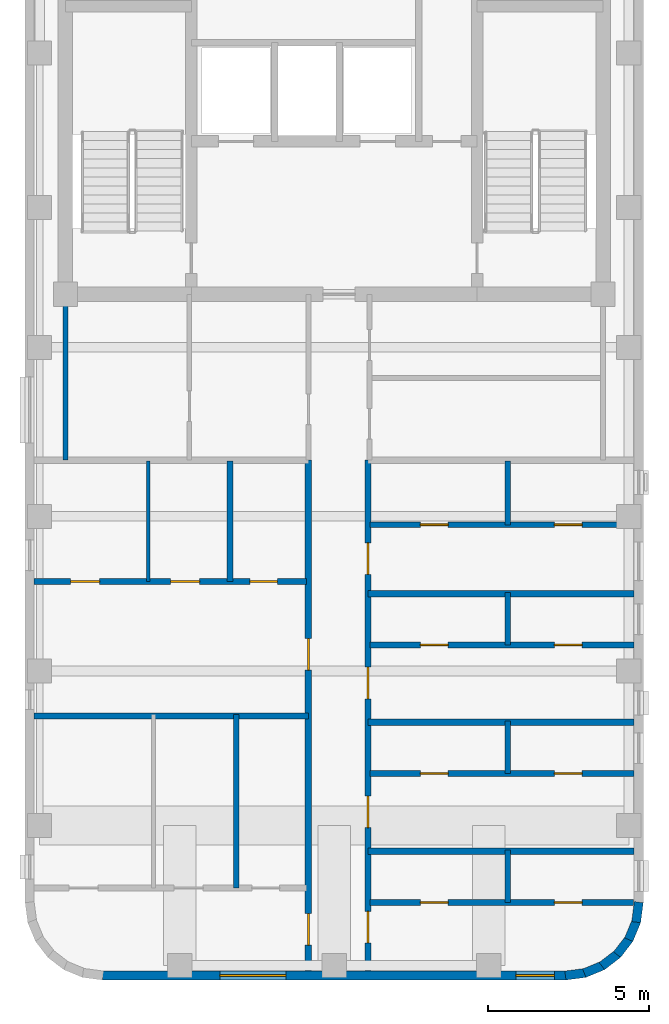
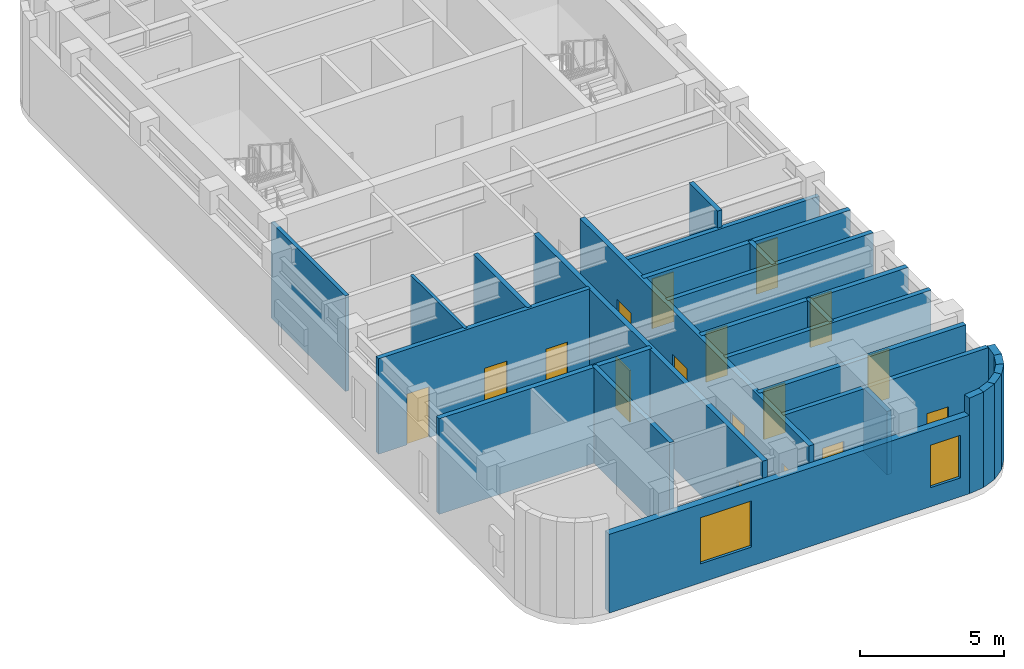
# One storey, part 2 of 6: 26 walls, 17 doors, 2 windows, 19 openings.
"""IFC4 building model written with IfcOpenShell, lengths in metres."""

from ifc_helpers import new_model, si_unit, direction, frame, frame_2d, origin, place, context, subcontext, project, spatial, rectangle, extrude, material, layer, layer_set, type_object, element, fill, save


model = new_model("IFC4")

# Units and contexts
model_context = context("Model", 3, precision=1e-05, world=origin(), true_north=direction((0.0, 1.0)))
body_context = subcontext(model_context, "Body", "Model", "MODEL_VIEW")
ifc_project = project(units=[si_unit("LENGTHUNIT", "METRE"), si_unit("AREAUNIT", "SQUARE_METRE"), si_unit("VOLUMEUNIT", "CUBIC_METRE"), si_unit("PLANEANGLEUNIT", "RADIAN"), si_unit("MASSUNIT", "GRAM", prefix="KILO")], contexts=[model_context])

# Site, building, storey
site_placement = place(None, origin())
site = spatial("IfcSite", under=ifc_project, at=site_placement, CompositionType="ELEMENT")
building_placement = place(site_placement, origin())
building = spatial("IfcBuilding", under=site, at=building_placement, Name="Orvandelia Arch Residences", CompositionType="ELEMENT")
storey_placement = place(building_placement, frame((0.0, 0.0, 261.300048828125)))
storey = spatial("IfcBuildingStorey", under=building, at=storey_placement, Name="L68", CompositionType="ELEMENT", Elevation=261.300048828125)

# Wall, openings, doors
ifc_material_1 = material(Name="Fire-Rated Corridor Partition")
ifc_layer_1 = layer(ifc_material_1, 0.199951171875, Name="Fire-Rated Corridor Partition")
ifc_layer_set_1 = layer_set([ifc_layer_1], Name="Fire-Rated Corridor Partition")
wall_type_1 = type_object("IfcWallType", Name="WL-CORR-200", PredefinedType="PARTITIONING", material=ifc_layer_set_1)
wall_1_placement = place(storey_placement, frame((13.60009765625, 9.8798828125, 0.0), z_axis=(0.0, 0.0, 1.0), x_axis=(0.0, 1.0, 0.0)))
wall_1 = element("IfcWall", 1, at=wall_1_placement, inside=storey, type_object=wall_type_1, Name="Interior Partition Wall WL-L68-WC-W", PredefinedType="PARTITIONING", context=body_context, shape_type="SweptSolid", body=[
    extrude(rectangle(XDim=15.8701171875, YDim=0.199951171875, at=frame_2d((7.93505859375, 0.0))), origin(), (0.0, 0.0, 1.0), 4.0400390625),
])
opening_1_placement = place(wall_1_placement, frame((0.801025390625, 0.0, 0.0)))
opening_1 = element("IfcOpeningElement", 2, at=opening_1_placement, cuts=wall_1, Name="Opening D1", PredefinedType="OPENING", context=body_context, shape_type="SweptSolid", body=[
    extrude(rectangle(XDim=0.97998046875, YDim=2.179931640625, at=frame_2d((0.489990234375, 1.08984375))), frame((0.0, 0.10986328125, 0.0), z_axis=(0.0, -1.0, 0.0), x_axis=(1.0, 0.0, 0.0)), (0.0, 0.0, 1.0), 0.219970703125),
])
opening_2_placement = place(wall_1_placement, frame((9.342041015625, 0.0, 0.0)))
opening_2 = element("IfcOpeningElement", 3, at=opening_2_placement, cuts=wall_1, Name="Opening D1", PredefinedType="OPENING", context=body_context, shape_type="SweptSolid", body=[
    extrude(rectangle(XDim=0.97998046875, YDim=2.179931640625, at=frame_2d((0.489990234375, 1.08984375))), frame((0.0, 0.10986328125, 0.0), z_axis=(0.0, -1.0, 0.0), x_axis=(1.0, 0.0, 0.0)), (0.0, 0.0, 1.0), 0.219970703125),
])
ifc_material_2 = material(Name="Solid-Core Timber Acoustic Fire Door", Category="wood")
door_type_1 = type_object("IfcDoorType", Name="DR-ENT-980", OperationType="NOTDEFINED", PredefinedType="DOOR", material=ifc_material_2)
door_1_placement = place(opening_1_placement, origin())
door_1 = element("IfcDoor", 4, at=door_1_placement, inside=storey, type_object=door_type_1, Name="Unit L68-01 Entrance Door", OperationType="SINGLE_SWING_LEFT", OverallHeight=2.179931640625, OverallWidth=0.97998046875, PredefinedType="DOOR", context=body_context, shape_type="SweptSolid", body=[
    extrude(rectangle(XDim=0.97998046875, YDim=2.179931640625, at=frame_2d((0.489990234375, 1.08984375))), frame((0.0, 0.02490234375, 0.0), z_axis=(0.0, -1.0, 0.0), x_axis=(1.0, 0.0, 0.0)), (0.0, 0.0, 1.0), 0.050048828125),
])
fill(opening_1, door_1)
door_2_placement = place(opening_2_placement, origin())
door_2 = element("IfcDoor", 5, at=door_2_placement, inside=storey, type_object=door_type_1, Name="Unit L68-02 Entrance Door", OperationType="SINGLE_SWING_RIGHT", OverallHeight=2.179931640625, OverallWidth=0.97998046875, PredefinedType="DOOR", context=body_context, shape_type="SweptSolid", body=[
    extrude(rectangle(XDim=0.97998046875, YDim=2.179931640625, at=frame_2d((0.489990234375, 1.08984375))), frame((0.0, 0.02490234375, 0.0), z_axis=(0.0, -1.0, 0.0), x_axis=(1.0, 0.0, 0.0)), (0.0, 0.0, 1.0), 0.050048828125),
])
fill(opening_2, door_2)

wall_2_placement = place(storey_placement, frame((15.449951171875, 9.8798828125, 0.0), z_axis=(0.0, 0.0, 1.0), x_axis=(0.0, 1.0, 0.0)))
wall_2 = element("IfcWall", 6, at=wall_2_placement, inside=storey, type_object=wall_type_1, Name="Interior Partition Wall WL-L68-WC-E", PredefinedType="PARTITIONING", context=body_context, shape_type="SweptSolid", body=[
    extrude(rectangle(XDim=15.8701171875, YDim=0.199951171875, at=frame_2d((7.93505859375, 0.0))), origin(), (0.0, 0.0, 1.0), 4.0400390625),
])
opening_3_placement = place(wall_2_placement, frame((0.875, 0.0, 0.0)))
opening_3 = element("IfcOpeningElement", 7, at=opening_3_placement, cuts=wall_2, Name="Opening D1", PredefinedType="OPENING", context=body_context, shape_type="SweptSolid", body=[
    extrude(rectangle(XDim=0.97998046875, YDim=2.179931640625, at=frame_2d((0.489990234375, 1.08984375))), frame((0.0, 0.10986328125, 0.0), z_axis=(0.0, -1.0, 0.0), x_axis=(1.0, 0.0, 0.0)), (0.0, 0.0, 1.0), 0.219970703125),
])
opening_4_placement = place(wall_2_placement, frame((4.455078125, 0.0, 0.0)))
opening_4 = element("IfcOpeningElement", 8, at=opening_4_placement, cuts=wall_2, Name="Opening D1", PredefinedType="OPENING", context=body_context, shape_type="SweptSolid", body=[
    extrude(rectangle(XDim=0.97998046875, YDim=2.179931640625, at=frame_2d((0.489990234375, 1.08984375))), frame((0.0, 0.10986328125, 0.0), z_axis=(0.0, -1.0, 0.0), x_axis=(1.0, 0.0, 0.0)), (0.0, 0.0, 1.0), 0.219970703125),
])
opening_5_placement = place(wall_2_placement, frame((8.455078125, 0.0, 0.0)))
opening_5 = element("IfcOpeningElement", 9, at=opening_5_placement, cuts=wall_2, Name="Opening D1", PredefinedType="OPENING", context=body_context, shape_type="SweptSolid", body=[
    extrude(rectangle(XDim=0.97998046875, YDim=2.179931640625, at=frame_2d((0.489990234375, 1.08984375))), frame((0.0, 0.10986328125, 0.0), z_axis=(0.0, -1.0, 0.0), x_axis=(1.0, 0.0, 0.0)), (0.0, 0.0, 1.0), 0.219970703125),
])
opening_6_placement = place(wall_2_placement, frame((12.320068359375, 0.0, 0.0)))
opening_6 = element("IfcOpeningElement", 10, at=opening_6_placement, cuts=wall_2, Name="Opening D1", PredefinedType="OPENING", context=body_context, shape_type="SweptSolid", body=[
    extrude(rectangle(XDim=0.97998046875, YDim=2.179931640625, at=frame_2d((0.489990234375, 1.08984375))), frame((0.0, 0.10986328125, 0.0), z_axis=(0.0, -1.0, 0.0), x_axis=(1.0, 0.0, 0.0)), (0.0, 0.0, 1.0), 0.219970703125),
])
door_3_placement = place(opening_3_placement, origin())
door_3 = element("IfcDoor", 11, at=door_3_placement, inside=storey, type_object=door_type_1, Name="Unit L68-03 Entrance Door", OperationType="SINGLE_SWING_LEFT", OverallHeight=2.179931640625, OverallWidth=0.97998046875, PredefinedType="DOOR", context=body_context, shape_type="SweptSolid", body=[
    extrude(rectangle(XDim=0.97998046875, YDim=2.179931640625, at=frame_2d((0.489990234375, 1.08984375))), frame((0.0, 0.02490234375, 0.0), z_axis=(0.0, -1.0, 0.0), x_axis=(1.0, 0.0, 0.0)), (0.0, 0.0, 1.0), 0.050048828125),
])
fill(opening_3, door_3)
door_4_placement = place(opening_4_placement, origin())
door_4 = element("IfcDoor", 12, at=door_4_placement, inside=storey, type_object=door_type_1, Name="Unit L68-04 Entrance Door", OperationType="SINGLE_SWING_RIGHT", OverallHeight=2.179931640625, OverallWidth=0.97998046875, PredefinedType="DOOR", context=body_context, shape_type="SweptSolid", body=[
    extrude(rectangle(XDim=0.97998046875, YDim=2.179931640625, at=frame_2d((0.489990234375, 1.08984375))), frame((0.0, 0.02490234375, 0.0), z_axis=(0.0, -1.0, 0.0), x_axis=(1.0, 0.0, 0.0)), (0.0, 0.0, 1.0), 0.050048828125),
])
fill(opening_4, door_4)
door_5_placement = place(opening_5_placement, origin())
door_5 = element("IfcDoor", 13, at=door_5_placement, inside=storey, type_object=door_type_1, Name="Unit L68-05 Entrance Door", OperationType="SINGLE_SWING_LEFT", OverallHeight=2.179931640625, OverallWidth=0.97998046875, PredefinedType="DOOR", context=body_context, shape_type="SweptSolid", body=[
    extrude(rectangle(XDim=0.97998046875, YDim=2.179931640625, at=frame_2d((0.489990234375, 1.08984375))), frame((0.0, 0.02490234375, 0.0), z_axis=(0.0, -1.0, 0.0), x_axis=(1.0, 0.0, 0.0)), (0.0, 0.0, 1.0), 0.050048828125),
])
fill(opening_5, door_5)
door_6_placement = place(opening_6_placement, origin())
door_6 = element("IfcDoor", 14, at=door_6_placement, inside=storey, type_object=door_type_1, Name="Unit L68-06 Entrance Door", OperationType="SINGLE_SWING_RIGHT", OverallHeight=2.179931640625, OverallWidth=0.97998046875, PredefinedType="DOOR", context=body_context, shape_type="SweptSolid", body=[
    extrude(rectangle(XDim=0.97998046875, YDim=2.179931640625, at=frame_2d((0.489990234375, 1.08984375))), frame((0.0, 0.02490234375, 0.0), z_axis=(0.0, -1.0, 0.0), x_axis=(1.0, 0.0, 0.0)), (0.0, 0.0, 1.0), 0.050048828125),
])
fill(opening_6, door_6)

# Walls
ifc_material_3 = material(Name="Concrete C40/50", Category="concrete")
ifc_layer_2 = layer(ifc_material_3, 0.199951171875, Name="Concrete C40/50", Category="concrete")
ifc_layer_set_2 = layer_set([ifc_layer_2], Name="Concrete C40/50")
wall_type_2 = type_object("IfcWallType", Name="WL-DEM-200", PredefinedType="SOLIDWALL", material=ifc_layer_set_2)
wall_3_placement = place(storey_placement, frame((5.080078125, 17.800048828125, 0.0), z_axis=(0.0, 0.0, 1.0), x_axis=(1.0, 0.0, 0.0)))
element("IfcWall", 15, at=wall_3_placement, inside=storey, type_object=wall_type_2, Name="Interior Partition Wall WL-L68-DEM-WL-178", PredefinedType="SOLIDWALL", context=body_context, shape_type="SweptSolid", body=[
    extrude(rectangle(XDim=8.52001953125, YDim=0.199951171875, at=frame_2d((4.260009765625, 0.0))), origin(), (0.0, 0.0, 1.0), 4.0400390625),
])
for number, where, z_axis, x_axis, name in (
    (16, (15.449951171875, 13.60009765625, 0.0), (0.0, 0.0, 1.0), (1.0, 0.0, 0.0), "Interior Partition Wall WL-L68-DEM-WR-136"),
    (17, (15.449951171875, 17.60009765625, 0.0), (0.0, 0.0, 1.0), (1.0, 0.0, 0.0), "Interior Partition Wall WL-L68-DEM-WR-176"),
    (18, (15.449951171875, 21.60009765625, 0.0), (0.0, 0.0, 1.0), (1.0, 0.0, 0.0), "Interior Partition Wall WL-L68-DEM-WR-216"),
):
    element("IfcWall", number, at=place(storey_placement, frame(where, z_axis=z_axis, x_axis=x_axis)), inside=storey, type_object=wall_type_2, Name=name, PredefinedType="SOLIDWALL", context=body_context, shape_type="SweptSolid", body=[
        extrude(rectangle(XDim=8.27001953125, YDim=0.199951171875, at=frame_2d((4.135009765625, 0.0))), origin(), (0.0, 0.0, 1.0), 4.0400390625),
    ])
ifc_material_4 = material(Name="Precast concrete C40/50", Category="concrete")
ifc_layer_3 = layer(ifc_material_4, 0.280029296875, Name="Precast concrete C40/50", Category="concrete")
ifc_layer_set_3 = layer_set([ifc_layer_3], Name="Precast concrete C40/50")
wall_type_3 = type_object("IfcWallType", Name="WL-EXT-STONE-280", PredefinedType="STANDARD", material=ifc_layer_set_3)
for number, where, z_axis, x_axis, name in (
    (19, (23.861083984375, 12.018310546875, 0.0), (0.0, 0.0, 1.0), (-0.130555323746, -0.9914410257, 0.0), "Coral-Limestone Precast Facade Wall L68-015"),
    (20, (23.788818359375, 11.432373046875, 0.0), (0.0, 0.0, 1.0), (-0.382317370307, -0.924031075431, 0.0), "Coral-Limestone Precast Facade Wall L68-016"),
    (21, (23.5673828125, 10.88525390625, 0.0), (0.0, 0.0, 1.0), (-0.608693302629, -0.793405610854, 0.0), "Coral-Limestone Precast Facade Wall L68-017"),
    (22, (23.2119140625, 10.4140625, 0.0), (0.0, 0.0, 1.0), (-0.793405610854, -0.608693302629, 0.0), "Coral-Limestone Precast Facade Wall L68-018"),
    (23, (22.746337890625, 10.05078125, 0.0), (0.0, 0.0, 1.0), (-0.92389335771, -0.382650053678, 0.0), "Coral-Limestone Precast Facade Wall L68-019"),
    (24, (22.202880859375, 9.820556640625, 0.0), (0.0, 0.0, 1.0), (-0.9914410257, -0.130555323746, 0.0), "Coral-Limestone Precast Facade Wall L68-020"),
):
    element("IfcWall", number, at=place(storey_placement, frame(where, z_axis=z_axis, x_axis=x_axis)), inside=storey, type_object=wall_type_3, Name=name, PredefinedType="STANDARD", context=body_context, shape_type="SweptSolid", body=[
        extrude(rectangle(XDim=0.62646484375, YDim=0.280029296875, at=frame_2d((0.313232421875, 0.0))), origin(), (0.0, 0.0, 1.0), 4.0400390625),
    ])

# Wall, openings, windows
wall_4_placement = place(storey_placement, frame((21.60009765625, 9.739990234375, 0.0), z_axis=(0.0, 0.0, 1.0), x_axis=(-1.0, 0.0, 0.0)))
wall_4 = element("IfcWall", 25, at=wall_4_placement, inside=storey, type_object=wall_type_3, Name="Coral-Limestone Precast Facade Wall L68-021", PredefinedType="STANDARD", context=body_context, shape_type="SweptSolid", body=[
    extrude(rectangle(XDim=14.400146484375, YDim=0.280029296875, at=frame_2d((7.2001953125, 0.0))), origin(), (0.0, 0.0, 1.0), 3.320068359375),
])
opening_7_placement = place(wall_4_placement, frame((0.360107421875, 0.0, 0.800048828125)))
opening_7 = element("IfcOpeningElement", 26, at=opening_7_placement, cuts=wall_4, Name="Opening W3", PredefinedType="OPENING", context=body_context, shape_type="SweptSolid", body=[
    extrude(rectangle(XDim=1.199951171875, YDim=1.800048828125, at=frame_2d((0.60009765625, 0.89990234375))), frame((0.0, 0.14990234375, 0.0), z_axis=(0.0, -1.0, 0.0), x_axis=(1.0, 0.0, 0.0)), (0.0, 0.0, 1.0), 0.300048828125),
])
opening_8_placement = place(wall_4_placement, frame((8.705078125, 0.0, 0.800048828125)))
opening_8 = element("IfcOpeningElement", 27, at=opening_8_placement, cuts=wall_4, Name="Opening W8", PredefinedType="OPENING", context=body_context, shape_type="SweptSolid", body=[
    extrude(rectangle(XDim=2.050048828125, YDim=1.949951171875, at=frame_2d((1.02490234375, 0.97509765625))), frame((0.0, 0.14990234375, 0.0), z_axis=(0.0, -1.0, 0.0), x_axis=(1.0, 0.0, 0.0)), (0.0, 0.0, 1.0), 0.300048828125),
])
ifc_material_5 = material(Name="Tempered Low-E Insulated Glazing", Category="glass")
window_type_1 = type_object("IfcWindowType", Name="WIN-RES-1200x1800", PartitioningType="SINGLE_PANEL", PredefinedType="WINDOW", material=ifc_material_5)
window_1_placement = place(opening_7_placement, origin())
window_1 = element("IfcWindow", 28, at=window_1_placement, inside=storey, type_object=window_type_1, Name="Recessed Punched Window L68-010", OverallHeight=1.800048828125, OverallWidth=1.199951171875, PartitioningType="SINGLE_PANEL", PredefinedType="WINDOW", context=body_context, shape_type="SweptSolid", body=[
    extrude(rectangle(XDim=1.199951171875, YDim=1.800048828125, at=frame_2d((0.60009765625, 0.89990234375))), frame((0.0, 0.030029296875, 0.0), z_axis=(0.0, -1.0, 0.0), x_axis=(1.0, 0.0, 0.0)), (0.0, 0.0, 1.0), 0.06005859375),
])
fill(opening_7, window_1)
window_type_2 = type_object("IfcWindowType", Name="WIN-UPP-2050x1950", PartitioningType="SINGLE_PANEL", PredefinedType="WINDOW", material=ifc_material_5)
window_2_placement = place(opening_8_placement, origin())
window_2 = element("IfcWindow", 29, at=window_2_placement, inside=storey, type_object=window_type_2, Name="Recessed Punched Window L68-011", OverallHeight=1.949951171875, OverallWidth=2.050048828125, PartitioningType="SINGLE_PANEL", PredefinedType="WINDOW", context=body_context, shape_type="SweptSolid", body=[
    extrude(rectangle(XDim=2.050048828125, YDim=1.949951171875, at=frame_2d((1.02490234375, 0.97509765625))), frame((0.0, 0.030029296875, 0.0), z_axis=(0.0, -1.0, 0.0), x_axis=(1.0, 0.0, 0.0)), (0.0, 0.0, 1.0), 0.06005859375),
])
fill(opening_8, window_2)

# Walls
ifc_material_6 = material(Name="Lightweight Gypsum Stud Partition")
ifc_layer_4 = layer(ifc_material_6, 0.1201171875, Name="Lightweight Gypsum Stud Partition")
ifc_layer_set_4 = layer_set([ifc_layer_4], Name="Lightweight Gypsum Stud Partition")
wall_type_4 = type_object("IfcWallType", Name="WL-PART-120", PredefinedType="PARTITIONING", material=ifc_layer_set_4)
wall_5_placement = place(storey_placement, frame((8.6220703125, 21.97998046875, 0.0), z_axis=(0.0, 0.0, 1.0), x_axis=(0.0, 1.0, 0.0)))
element("IfcWall", 30, at=wall_5_placement, inside=storey, type_object=wall_type_4, Name="Interior Partition Wall WL-L68-U02-V1", PredefinedType="PARTITIONING", context=body_context, shape_type="SweptSolid", body=[
    extrude(rectangle(XDim=3.739990234375, YDim=0.1201171875, at=frame_2d((1.8701171875, 0.0))), origin(), (0.0, 0.0, 1.0), 4.0400390625),
])
ifc_material_7 = material(Name="Acoustic Gypsum Stud Partition")
ifc_layer_5 = layer(ifc_material_7, 0.14990234375, Name="Acoustic Gypsum Stud Partition")
ifc_layer_set_5 = layer_set([ifc_layer_5], Name="Acoustic Gypsum Stud Partition")
wall_type_5 = type_object("IfcWallType", Name="WL-PART-150", PredefinedType="PARTITIONING", material=ifc_layer_set_5)
wall_6_placement = place(storey_placement, frame((6.050048828125, 25.75, 0.0), z_axis=(0.0, 0.0, 1.0), x_axis=(0.0, 1.0, 0.0)))
element("IfcWall", 31, at=wall_6_placement, inside=storey, type_object=wall_type_5, Name="Interior Partition Wall WL-L68-HI-WW", PredefinedType="PARTITIONING", context=body_context, shape_type="SweptSolid", body=[
    extrude(rectangle(XDim=5.14990234375, YDim=0.14990234375, at=frame_2d((2.574951171875, 0.0))), origin(), (0.0, 0.0, 1.0), 4.0400390625),
])
ifc_material_8 = material(Name="Moisture-Resistant Plumbing Wall")
ifc_layer_6 = layer(ifc_material_8, 0.179931640625, Name="Moisture-Resistant Plumbing Wall")
ifc_layer_set_6 = layer_set([ifc_layer_6], Name="Moisture-Resistant Plumbing Wall")
wall_type_6 = type_object("IfcWallType", Name="WL-WET-180", PredefinedType="PLUMBINGWALL", material=ifc_layer_set_6)
wall_7_placement = place(storey_placement, frame((11.35498046875, 12.4619140625, 0.0), z_axis=(0.0, 0.0, 1.0), x_axis=(0.0, 1.0, 0.0)))
element("IfcWall", 32, at=wall_7_placement, inside=storey, type_object=wall_type_6, Name="Interior Partition Wall WL-L68-U01-V2", PredefinedType="PLUMBINGWALL", context=body_context, shape_type="SweptSolid", body=[
    extrude(rectangle(XDim=5.378173828125, YDim=0.179931640625, at=frame_2d((2.68896484375, 0.0))), origin(), (0.0, 0.0, 1.0), 4.0400390625),
])

# Wall, openings, doors
wall_8_placement = place(storey_placement, frame((5.080078125, 21.97998046875, 0.0), z_axis=(0.0, 0.0, 1.0), x_axis=(1.0, 0.0, 0.0)))
wall_8 = element("IfcWall", 33, at=wall_8_placement, inside=storey, type_object=wall_type_6, Name="Interior Partition Wall WL-L68-U02-HZ", PredefinedType="PLUMBINGWALL", context=body_context, shape_type="SweptSolid", body=[
    extrude(rectangle(XDim=8.4599609375, YDim=0.179931640625, at=frame_2d((4.22998046875, 0.0))), origin(), (0.0, 0.0, 1.0), 4.0400390625),
])
opening_9_placement = place(wall_8_placement, frame((1.135986328125, 0.0, 0.0)))
opening_9 = element("IfcOpeningElement", 34, at=opening_9_placement, cuts=wall_8, Name="Opening D3", PredefinedType="OPENING", context=body_context, shape_type="SweptSolid", body=[
    extrude(rectangle(XDim=0.89990234375, YDim=2.14990234375, at=frame_2d((0.449951171875, 1.074951171875))), frame((0.0, 0.10009765625, 0.0), z_axis=(0.0, -1.0, 0.0), x_axis=(1.0, 0.0, 0.0)), (0.0, 0.0, 1.0), 0.199951171875),
])
opening_10_placement = place(wall_8_placement, frame((4.239013671875, 0.0, 0.0)))
opening_10 = element("IfcOpeningElement", 35, at=opening_10_placement, cuts=wall_8, Name="Opening D3", PredefinedType="OPENING", context=body_context, shape_type="SweptSolid", body=[
    extrude(rectangle(XDim=0.89990234375, YDim=2.14990234375, at=frame_2d((0.449951171875, 1.074951171875))), frame((0.0, 0.10009765625, 0.0), z_axis=(0.0, -1.0, 0.0), x_axis=(1.0, 0.0, 0.0)), (0.0, 0.0, 1.0), 0.199951171875),
])
opening_11_placement = place(wall_8_placement, frame((6.697998046875, 0.0, 0.0)))
opening_11 = element("IfcOpeningElement", 36, at=opening_11_placement, cuts=wall_8, Name="Opening D4", PredefinedType="OPENING", context=body_context, shape_type="SweptSolid", body=[
    extrude(rectangle(XDim=0.860107421875, YDim=2.10009765625, at=frame_2d((0.43017578125, 1.050048828125))), frame((0.0, 0.10009765625, 0.0), z_axis=(0.0, -1.0, 0.0), x_axis=(1.0, 0.0, 0.0)), (0.0, 0.0, 1.0), 0.199951171875),
])
ifc_material_9 = material(Name="Engineered Timber Flush Door", Category="wood")
door_type_2 = type_object("IfcDoorType", Name="DR-INT-900", OperationType="NOTDEFINED", PredefinedType="DOOR", material=ifc_material_9)
door_7_placement = place(opening_9_placement, origin())
door_7 = element("IfcDoor", 37, at=door_7_placement, inside=storey, type_object=door_type_2, Name="DR-L68-U02-STDY", OperationType="SINGLE_SWING_RIGHT", OverallHeight=2.14990234375, OverallWidth=0.89990234375, PredefinedType="DOOR", context=body_context, shape_type="SweptSolid", body=[
    extrude(rectangle(XDim=0.89990234375, YDim=2.14990234375, at=frame_2d((0.449951171875, 1.074951171875))), frame((0.0, 0.02490234375, 0.0), z_axis=(0.0, -1.0, 0.0), x_axis=(1.0, 0.0, 0.0)), (0.0, 0.0, 1.0), 0.050048828125),
])
fill(opening_9, door_7)
door_8_placement = place(opening_10_placement, origin())
door_8 = element("IfcDoor", 38, at=door_8_placement, inside=storey, type_object=door_type_2, Name="DR-L68-U02-KIT", OperationType="SINGLE_SWING_LEFT", OverallHeight=2.14990234375, OverallWidth=0.89990234375, PredefinedType="DOOR", context=body_context, shape_type="SweptSolid", body=[
    extrude(rectangle(XDim=0.89990234375, YDim=2.14990234375, at=frame_2d((0.449951171875, 1.074951171875))), frame((0.0, 0.02490234375, 0.0), z_axis=(0.0, -1.0, 0.0), x_axis=(1.0, 0.0, 0.0)), (0.0, 0.0, 1.0), 0.050048828125),
])
fill(opening_10, door_8)
ifc_material_10 = material(Name="Moisture-Sealed Timber Bathroom Door", Category="wood")
door_type_3 = type_object("IfcDoorType", Name="DR-WET-900", OperationType="NOTDEFINED", PredefinedType="DOOR", material=ifc_material_10)
door_9_placement = place(opening_11_placement, origin())
door_9 = element("IfcDoor", 39, at=door_9_placement, inside=storey, type_object=door_type_3, Name="DR-L68-U02-BTH", OperationType="SINGLE_SWING_RIGHT", OverallHeight=2.10009765625, OverallWidth=0.860107421875, PredefinedType="DOOR", context=body_context, shape_type="SweptSolid", body=[
    extrude(rectangle(XDim=0.860107421875, YDim=2.10009765625, at=frame_2d((0.43017578125, 1.050048828125))), frame((0.0, 0.02490234375, 0.0), z_axis=(0.0, -1.0, 0.0), x_axis=(1.0, 0.0, 0.0)), (0.0, 0.0, 1.0), 0.050048828125),
])
fill(opening_11, door_9)

# Wall
wall_9_placement = place(storey_placement, frame((11.166015625, 21.97998046875, 0.0), z_axis=(0.0, 0.0, 1.0), x_axis=(0.0, 1.0, 0.0)))
element("IfcWall", 40, at=wall_9_placement, inside=storey, type_object=wall_type_6, Name="Interior Partition Wall WL-L68-U02-V2", PredefinedType="PLUMBINGWALL", context=body_context, shape_type="SweptSolid", body=[
    extrude(rectangle(XDim=3.739990234375, YDim=0.179931640625, at=frame_2d((1.8701171875, 0.0))), origin(), (0.0, 0.0, 1.0), 4.0400390625),
])

# Wall, openings, doors
wall_10_placement = place(storey_placement, frame((15.510009765625, 12.010009765625, 0.0), z_axis=(0.0, 0.0, 1.0), x_axis=(1.0, 0.0, 0.0)))
wall_10 = element("IfcWall", 41, at=wall_10_placement, inside=storey, type_object=wall_type_6, Name="Interior Partition Wall WL-L68-U03-HZ", PredefinedType="PLUMBINGWALL", context=body_context, shape_type="SweptSolid", body=[
    extrude(rectangle(XDim=8.18994140625, YDim=0.179931640625, at=frame_2d((4.094970703125, 0.0))), origin(), (0.0, 0.0, 1.0), 4.0400390625),
])
opening_12_placement = place(wall_10_placement, frame((1.56494140625, 0.0, 0.0)))
opening_12 = element("IfcOpeningElement", 42, at=opening_12_placement, cuts=wall_10, Name="Opening D4", PredefinedType="OPENING", context=body_context, shape_type="SweptSolid", body=[
    extrude(rectangle(XDim=0.860107421875, YDim=2.10009765625, at=frame_2d((0.43017578125, 1.050048828125))), frame((0.0, 0.10009765625, 0.0), z_axis=(0.0, -1.0, 0.0), x_axis=(1.0, 0.0, 0.0)), (0.0, 0.0, 1.0), 0.199951171875),
])
opening_13_placement = place(wall_10_placement, frame((5.72998046875, 0.0, 0.0)))
opening_13 = element("IfcOpeningElement", 43, at=opening_13_placement, cuts=wall_10, Name="Opening D4", PredefinedType="OPENING", context=body_context, shape_type="SweptSolid", body=[
    extrude(rectangle(XDim=0.860107421875, YDim=2.10009765625, at=frame_2d((0.43017578125, 1.050048828125))), frame((0.0, 0.10009765625, 0.0), z_axis=(0.0, -1.0, 0.0), x_axis=(1.0, 0.0, 0.0)), (0.0, 0.0, 1.0), 0.199951171875),
])
door_10_placement = place(opening_12_placement, origin())
door_10 = element("IfcDoor", 44, at=door_10_placement, inside=storey, type_object=door_type_3, Name="DR-L68-U03-KIT", OperationType="SINGLE_SWING_LEFT", OverallHeight=2.10009765625, OverallWidth=0.860107421875, PredefinedType="DOOR", context=body_context, shape_type="SweptSolid", body=[
    extrude(rectangle(XDim=0.860107421875, YDim=2.10009765625, at=frame_2d((0.43017578125, 1.050048828125))), frame((0.0, 0.02490234375, 0.0), z_axis=(0.0, -1.0, 0.0), x_axis=(1.0, 0.0, 0.0)), (0.0, 0.0, 1.0), 0.050048828125),
])
fill(opening_12, door_10)
door_11_placement = place(opening_13_placement, origin())
door_11 = element("IfcDoor", 45, at=door_11_placement, inside=storey, type_object=door_type_3, Name="DR-L68-U03-BTH", OperationType="SINGLE_SWING_RIGHT", OverallHeight=2.10009765625, OverallWidth=0.860107421875, PredefinedType="DOOR", context=body_context, shape_type="SweptSolid", body=[
    extrude(rectangle(XDim=0.860107421875, YDim=2.10009765625, at=frame_2d((0.43017578125, 1.050048828125))), frame((0.0, 0.02490234375, 0.0), z_axis=(0.0, -1.0, 0.0), x_axis=(1.0, 0.0, 0.0)), (0.0, 0.0, 1.0), 0.050048828125),
])
fill(opening_13, door_11)

# Wall
wall_11_placement = place(storey_placement, frame((19.7900390625, 12.010009765625, 0.0), z_axis=(0.0, 0.0, 1.0), x_axis=(0.0, 1.0, 0.0)))
element("IfcWall", 46, at=wall_11_placement, inside=storey, type_object=wall_type_6, Name="Interior Partition Wall WL-L68-U03-V1", PredefinedType="PLUMBINGWALL", context=body_context, shape_type="SweptSolid", body=[
    extrude(rectangle(XDim=1.6298828125, YDim=0.179931640625, at=frame_2d((0.81494140625, 0.0))), origin(), (0.0, 0.0, 1.0), 2.679931640625),
])

# Wall, openings, doors
wall_12_placement = place(storey_placement, frame((15.510009765625, 16.010009765625, 0.0), z_axis=(0.0, 0.0, 1.0), x_axis=(1.0, 0.0, 0.0)))
wall_12 = element("IfcWall", 47, at=wall_12_placement, inside=storey, type_object=wall_type_6, Name="Interior Partition Wall WL-L68-U04-HZ", PredefinedType="PLUMBINGWALL", context=body_context, shape_type="SweptSolid", body=[
    extrude(rectangle(XDim=8.2099609375, YDim=0.179931640625, at=frame_2d((4.10498046875, 0.0))), origin(), (0.0, 0.0, 1.0), 4.0400390625),
])
opening_14_placement = place(wall_12_placement, frame((1.56494140625, 0.0, 0.0)))
opening_14 = element("IfcOpeningElement", 48, at=opening_14_placement, cuts=wall_12, Name="Opening D4", PredefinedType="OPENING", context=body_context, shape_type="SweptSolid", body=[
    extrude(rectangle(XDim=0.860107421875, YDim=2.10009765625, at=frame_2d((0.43017578125, 1.050048828125))), frame((0.0, 0.10009765625, 0.0), z_axis=(0.0, -1.0, 0.0), x_axis=(1.0, 0.0, 0.0)), (0.0, 0.0, 1.0), 0.199951171875),
])
opening_15_placement = place(wall_12_placement, frame((5.72998046875, 0.0, 0.0)))
opening_15 = element("IfcOpeningElement", 49, at=opening_15_placement, cuts=wall_12, Name="Opening D4", PredefinedType="OPENING", context=body_context, shape_type="SweptSolid", body=[
    extrude(rectangle(XDim=0.860107421875, YDim=2.10009765625, at=frame_2d((0.43017578125, 1.050048828125))), frame((0.0, 0.10009765625, 0.0), z_axis=(0.0, -1.0, 0.0), x_axis=(1.0, 0.0, 0.0)), (0.0, 0.0, 1.0), 0.199951171875),
])
door_12_placement = place(opening_14_placement, origin())
door_12 = element("IfcDoor", 50, at=door_12_placement, inside=storey, type_object=door_type_3, Name="DR-L68-U04-KIT", OperationType="SINGLE_SWING_RIGHT", OverallHeight=2.10009765625, OverallWidth=0.860107421875, PredefinedType="DOOR", context=body_context, shape_type="SweptSolid", body=[
    extrude(rectangle(XDim=0.860107421875, YDim=2.10009765625, at=frame_2d((0.43017578125, 1.050048828125))), frame((0.0, 0.02490234375, 0.0), z_axis=(0.0, -1.0, 0.0), x_axis=(1.0, 0.0, 0.0)), (0.0, 0.0, 1.0), 0.050048828125),
])
fill(opening_14, door_12)
door_13_placement = place(opening_15_placement, origin())
door_13 = element("IfcDoor", 51, at=door_13_placement, inside=storey, type_object=door_type_3, Name="DR-L68-U04-BTH", OperationType="SINGLE_SWING_LEFT", OverallHeight=2.10009765625, OverallWidth=0.860107421875, PredefinedType="DOOR", context=body_context, shape_type="SweptSolid", body=[
    extrude(rectangle(XDim=0.860107421875, YDim=2.10009765625, at=frame_2d((0.43017578125, 1.050048828125))), frame((0.0, 0.02490234375, 0.0), z_axis=(0.0, -1.0, 0.0), x_axis=(1.0, 0.0, 0.0)), (0.0, 0.0, 1.0), 0.050048828125),
])
fill(opening_15, door_13)

# Wall
wall_13_placement = place(storey_placement, frame((19.7900390625, 16.010009765625, 0.0), z_axis=(0.0, 0.0, 1.0), x_axis=(0.0, 1.0, 0.0)))
element("IfcWall", 52, at=wall_13_placement, inside=storey, type_object=wall_type_6, Name="Interior Partition Wall WL-L68-U04-V1", PredefinedType="PLUMBINGWALL", context=body_context, shape_type="SweptSolid", body=[
    extrude(rectangle(XDim=1.6298828125, YDim=0.179931640625, at=frame_2d((0.81494140625, 0.0))), origin(), (0.0, 0.0, 1.0), 4.0400390625),
])

# Wall, openings, doors
wall_14_placement = place(storey_placement, frame((15.510009765625, 20.010009765625, 0.0), z_axis=(0.0, 0.0, 1.0), x_axis=(1.0, 0.0, 0.0)))
wall_14 = element("IfcWall", 53, at=wall_14_placement, inside=storey, type_object=wall_type_6, Name="Interior Partition Wall WL-L68-U05-HZ", PredefinedType="PLUMBINGWALL", context=body_context, shape_type="SweptSolid", body=[
    extrude(rectangle(XDim=8.2099609375, YDim=0.179931640625, at=frame_2d((4.10498046875, 0.0))), origin(), (0.0, 0.0, 1.0), 4.0400390625),
])
opening_16_placement = place(wall_14_placement, frame((1.56494140625, 0.0, 0.0)))
opening_16 = element("IfcOpeningElement", 54, at=opening_16_placement, cuts=wall_14, Name="Opening D4", PredefinedType="OPENING", context=body_context, shape_type="SweptSolid", body=[
    extrude(rectangle(XDim=0.860107421875, YDim=2.10009765625, at=frame_2d((0.43017578125, 1.050048828125))), frame((0.0, 0.10009765625, 0.0), z_axis=(0.0, -1.0, 0.0), x_axis=(1.0, 0.0, 0.0)), (0.0, 0.0, 1.0), 0.199951171875),
])
opening_17_placement = place(wall_14_placement, frame((5.72998046875, 0.0, 0.0)))
opening_17 = element("IfcOpeningElement", 55, at=opening_17_placement, cuts=wall_14, Name="Opening D4", PredefinedType="OPENING", context=body_context, shape_type="SweptSolid", body=[
    extrude(rectangle(XDim=0.860107421875, YDim=2.10009765625, at=frame_2d((0.43017578125, 1.050048828125))), frame((0.0, 0.10009765625, 0.0), z_axis=(0.0, -1.0, 0.0), x_axis=(1.0, 0.0, 0.0)), (0.0, 0.0, 1.0), 0.199951171875),
])
door_14_placement = place(opening_16_placement, origin())
door_14 = element("IfcDoor", 56, at=door_14_placement, inside=storey, type_object=door_type_3, Name="DR-L68-U05-KIT", OperationType="SINGLE_SWING_LEFT", OverallHeight=2.10009765625, OverallWidth=0.860107421875, PredefinedType="DOOR", context=body_context, shape_type="SweptSolid", body=[
    extrude(rectangle(XDim=0.860107421875, YDim=2.10009765625, at=frame_2d((0.43017578125, 1.050048828125))), frame((0.0, 0.02490234375, 0.0), z_axis=(0.0, -1.0, 0.0), x_axis=(1.0, 0.0, 0.0)), (0.0, 0.0, 1.0), 0.050048828125),
])
fill(opening_16, door_14)
door_15_placement = place(opening_17_placement, origin())
door_15 = element("IfcDoor", 57, at=door_15_placement, inside=storey, type_object=door_type_3, Name="DR-L68-U05-BTH", OperationType="SINGLE_SWING_RIGHT", OverallHeight=2.10009765625, OverallWidth=0.860107421875, PredefinedType="DOOR", context=body_context, shape_type="SweptSolid", body=[
    extrude(rectangle(XDim=0.860107421875, YDim=2.10009765625, at=frame_2d((0.43017578125, 1.050048828125))), frame((0.0, 0.02490234375, 0.0), z_axis=(0.0, -1.0, 0.0), x_axis=(1.0, 0.0, 0.0)), (0.0, 0.0, 1.0), 0.050048828125),
])
fill(opening_17, door_15)

# Wall
wall_15_placement = place(storey_placement, frame((19.7900390625, 20.010009765625, 0.0), z_axis=(0.0, 0.0, 1.0), x_axis=(0.0, 1.0, 0.0)))
element("IfcWall", 58, at=wall_15_placement, inside=storey, type_object=wall_type_6, Name="Interior Partition Wall WL-L68-U05-V1", PredefinedType="PLUMBINGWALL", context=body_context, shape_type="SweptSolid", body=[
    extrude(rectangle(XDim=1.6298828125, YDim=0.179931640625, at=frame_2d((0.81494140625, 0.0))), origin(), (0.0, 0.0, 1.0), 4.0400390625),
])

# Wall, openings, doors
wall_16_placement = place(storey_placement, frame((15.510009765625, 23.739990234375, 0.0), z_axis=(0.0, 0.0, 1.0), x_axis=(1.0, 0.0, 0.0)))
wall_16 = element("IfcWall", 59, at=wall_16_placement, inside=storey, type_object=wall_type_6, Name="Interior Partition Wall WL-L68-U06-HZ", PredefinedType="PLUMBINGWALL", context=body_context, shape_type="SweptSolid", body=[
    extrude(rectangle(XDim=8.2099609375, YDim=0.179931640625, at=frame_2d((4.10498046875, 0.0))), origin(), (0.0, 0.0, 1.0), 3.320068359375),
])
opening_18_placement = place(wall_16_placement, frame((1.56494140625, 0.0, 0.0)))
opening_18 = element("IfcOpeningElement", 60, at=opening_18_placement, cuts=wall_16, Name="Opening D4", PredefinedType="OPENING", context=body_context, shape_type="SweptSolid", body=[
    extrude(rectangle(XDim=0.860107421875, YDim=2.10009765625, at=frame_2d((0.43017578125, 1.050048828125))), frame((0.0, 0.10009765625, 0.0), z_axis=(0.0, -1.0, 0.0), x_axis=(1.0, 0.0, 0.0)), (0.0, 0.0, 1.0), 0.199951171875),
])
opening_19_placement = place(wall_16_placement, frame((5.72998046875, 0.0, 0.0)))
opening_19 = element("IfcOpeningElement", 61, at=opening_19_placement, cuts=wall_16, Name="Opening D4", PredefinedType="OPENING", context=body_context, shape_type="SweptSolid", body=[
    extrude(rectangle(XDim=0.860107421875, YDim=2.10009765625, at=frame_2d((0.43017578125, 1.050048828125))), frame((0.0, 0.10009765625, 0.0), z_axis=(0.0, -1.0, 0.0), x_axis=(1.0, 0.0, 0.0)), (0.0, 0.0, 1.0), 0.199951171875),
])
door_16_placement = place(opening_18_placement, origin())
door_16 = element("IfcDoor", 62, at=door_16_placement, inside=storey, type_object=door_type_3, Name="DR-L68-U06-KIT", OperationType="SINGLE_SWING_RIGHT", OverallHeight=2.10009765625, OverallWidth=0.860107421875, PredefinedType="DOOR", context=body_context, shape_type="SweptSolid", body=[
    extrude(rectangle(XDim=0.860107421875, YDim=2.10009765625, at=frame_2d((0.43017578125, 1.050048828125))), frame((0.0, 0.02490234375, 0.0), z_axis=(0.0, -1.0, 0.0), x_axis=(1.0, 0.0, 0.0)), (0.0, 0.0, 1.0), 0.050048828125),
])
fill(opening_18, door_16)
door_17_placement = place(opening_19_placement, origin())
door_17 = element("IfcDoor", 63, at=door_17_placement, inside=storey, type_object=door_type_3, Name="DR-L68-U06-BTH", OperationType="SINGLE_SWING_LEFT", OverallHeight=2.10009765625, OverallWidth=0.860107421875, PredefinedType="DOOR", context=body_context, shape_type="SweptSolid", body=[
    extrude(rectangle(XDim=0.860107421875, YDim=2.10009765625, at=frame_2d((0.43017578125, 1.050048828125))), frame((0.0, 0.02490234375, 0.0), z_axis=(0.0, -1.0, 0.0), x_axis=(1.0, 0.0, 0.0)), (0.0, 0.0, 1.0), 0.050048828125),
])
fill(opening_19, door_17)

# Wall
wall_17_placement = place(storey_placement, frame((19.7900390625, 23.739990234375, 0.0), z_axis=(0.0, 0.0, 1.0), x_axis=(0.0, 1.0, 0.0)))
element("IfcWall", 64, at=wall_17_placement, inside=storey, type_object=wall_type_6, Name="Interior Partition Wall WL-L68-U06-V1", PredefinedType="PLUMBINGWALL", context=body_context, shape_type="SweptSolid", body=[
    extrude(rectangle(XDim=1.97998046875, YDim=0.179931640625, at=frame_2d((0.989990234375, 0.0))), origin(), (0.0, 0.0, 1.0), 4.0400390625),
])

save(model, "model.ifc")
